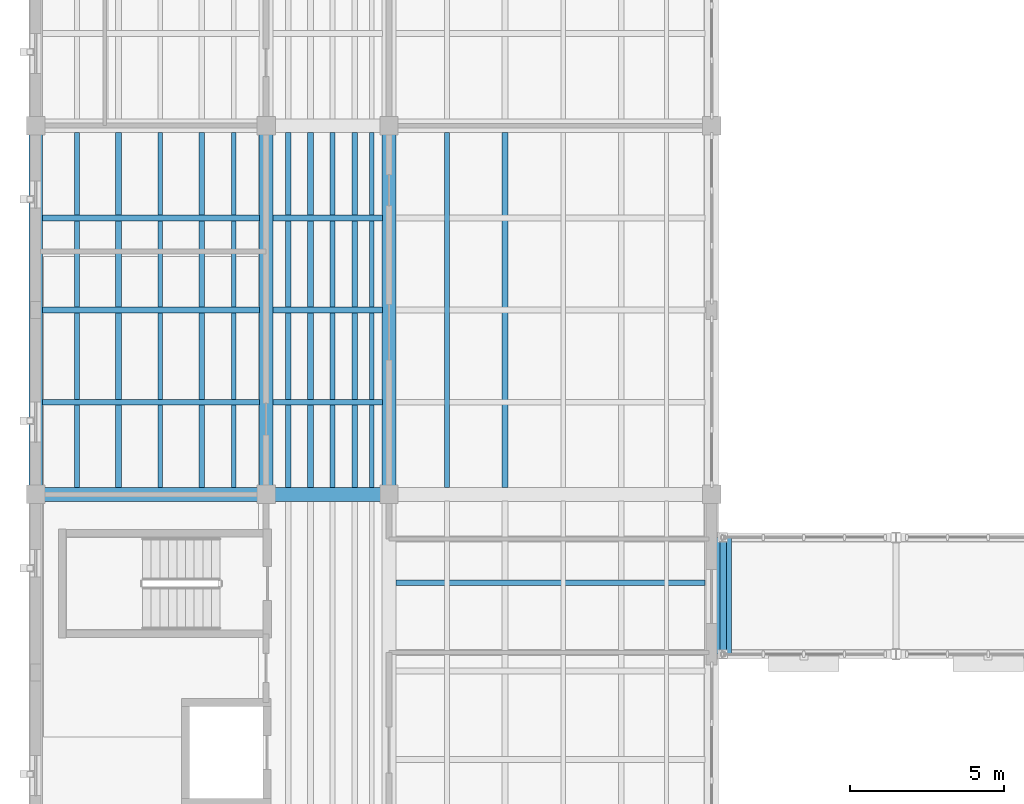
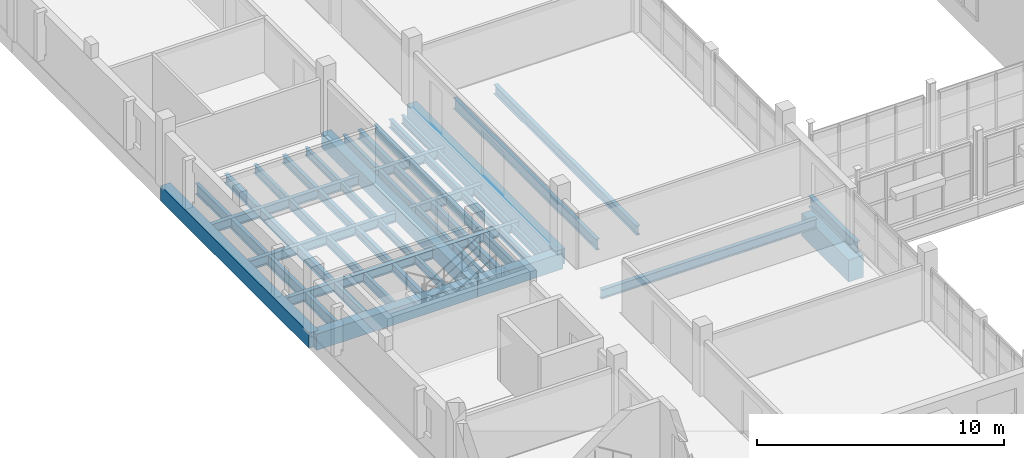
# One storey, part 12 of 77: 26 beams.
"""IFC4 building model written with IfcOpenShell, lengths in metres."""

from ifc_helpers import new_model, si_unit, direction, frame, origin, origin_2d, place, context, subcontext, project, spatial, rectangle, i_section, extrude, material, material_profile, profile_set, type_object, element, save


model = new_model("IFC4")

# Units and contexts
model_context = context("Model", 3, precision=1e-05, world=origin(), true_north=direction((0.0, 1.0)))
body_context = subcontext(model_context, "Body", "Model", "MODEL_VIEW")
ifc_project = project(units=[si_unit("LENGTHUNIT", "METRE"), si_unit("AREAUNIT", "SQUARE_METRE"), si_unit("VOLUMEUNIT", "CUBIC_METRE"), si_unit("PLANEANGLEUNIT", "RADIAN"), si_unit("MASSUNIT", "GRAM", prefix="KILO")], contexts=[model_context])

# Site, building, storey
site_placement = place(None, origin())
site = spatial("IfcSite", under=ifc_project, at=site_placement, CompositionType="ELEMENT")
building_placement = place(site_placement, origin())
building = spatial("IfcBuilding", under=site, at=building_placement, Name="Trellovar Central Fire Station", CompositionType="ELEMENT")
storey_placement = place(building_placement, frame((0.0, 0.0, 5.85009765625)))
storey = spatial("IfcBuildingStorey", under=building, at=storey_placement, Name="L02", CompositionType="ELEMENT", Elevation=5.85009765625)

# Beams
ifc_material_1 = material(Name="Concrete C40/50", Category="concrete")
ifc_material_profile_1 = material_profile(ifc_material_1, rectangle(XDim=0.449951171875, YDim=0.800048828125, at=origin_2d()), Name="RC450X800")
ifc_profile_set_1 = profile_set([ifc_material_profile_1], Name="Concrete C40/50")
beam_type_1 = type_object("IfcBeamType", Name="BM-G1", PredefinedType="BEAM", material=ifc_profile_set_1)
beam_1_placement = place(storey_placement, frame((1.0, 29.0, -0.400146484375), z_axis=(1.0, 0.0, 0.0), x_axis=(0.0, 1.0, 0.0)))
element("IfcBeam", 1, at=beam_1_placement, inside=storey, type_object=beam_type_1, Name="L02 beam G-1", PredefinedType="BEAM", context=body_context, shape_type="SweptSolid", body=[
    extrude(rectangle(XDim=0.449951171875, YDim=0.800048828125, at=origin_2d()), origin(), (0.0, 0.0, 1.0), 7.5),
])
beam_2_placement = place(storey_placement, frame((8.5, 29.0, -0.400146484375), z_axis=(1.0, 0.0, 0.0), x_axis=(0.0, 1.0, 0.0)))
element("IfcBeam", 2, at=beam_2_placement, inside=storey, type_object=beam_type_1, Name="L02 beam G-1", PredefinedType="BEAM", context=body_context, shape_type="SweptSolid", body=[
    extrude(rectangle(XDim=0.449951171875, YDim=0.800048828125, at=origin_2d()), origin(), (0.0, 0.0, 1.0), 4.0),
])
ifc_material_2 = material(Name="Concrete C40/50", Category="concrete")
ifc_material_profile_2 = material_profile(ifc_material_2, rectangle(XDim=0.449951171875, YDim=0.75, at=origin_2d()), Name="RC450X750")
ifc_profile_set_2 = profile_set([ifc_material_profile_2], Name="Concrete C40/50")
beam_type_2 = type_object("IfcBeamType", Name="BM-G2", PredefinedType="BEAM", material=ifc_profile_set_2)
for number, where, z_axis, x_axis, name in (
    (3, (1.0, 29.0, -0.375), (0.0, 1.0, 0.0), (-1.0, 0.0, 0.0), "L02 beam G-2"),
    (4, (8.5, 29.0, -0.375), (0.0, 1.0, 0.0), (-1.0, 0.0, 0.0), "L02 beam G-2"),
    (5, (12.5, 29.0, -0.375), (0.0, 1.0, 0.0), (-1.0, 0.0, 0.0), "L02 beam G-2"),
):
    element("IfcBeam", number, at=place(storey_placement, frame(where, z_axis=z_axis, x_axis=x_axis)), inside=storey, type_object=beam_type_2, Name=name, PredefinedType="BEAM", context=body_context, shape_type="SweptSolid", body=[
        extrude(rectangle(XDim=0.449951171875, YDim=0.75, at=origin_2d()), origin(), (0.0, 0.0, 1.0), 12.0),
    ])
ifc_material_3 = material(Name="Concrete C40/50", Category="concrete")
ifc_material_profile_3 = material_profile(ifc_material_3, rectangle(XDim=0.699951171875, YDim=1.10009765625, at=origin_2d()), Name="RC700X1100")
ifc_profile_set_3 = profile_set([ifc_material_profile_3], Name="Concrete C40/50")
beam_type_3 = type_object("IfcBeamType", Name="BM-RG1", PredefinedType="BEAM", material=ifc_profile_set_3)
beam_3_placement = place(storey_placement, frame((23.300048828125, 23.800048828125, -1.550048828125), z_axis=(0.0, 1.0, 0.0), x_axis=(-1.0, 0.0, 0.0)))
element("IfcBeam", 6, at=beam_3_placement, inside=storey, type_object=beam_type_3, Name="Cloister bridge west 650 mm RC seat beam", PredefinedType="BEAM", context=body_context, shape_type="SweptSolid", body=[
    extrude(rectangle(XDim=0.699951171875, YDim=1.10009765625, at=origin_2d()), origin(), (0.0, 0.0, 1.0), 3.800048828125),
])
ifc_material_4 = material(Name="Steel ASTM A992 Grade 50", Category="steel")
ifc_material_profile_4 = material_profile(ifc_material_4, i_section(OverallWidth=0.15283203125, OverallDepth=0.45458984375, WebThickness=0.008056640625, FlangeThickness=0.01318359375, FilletRadius=0.0126953125, at=origin_2d()), Name="W18X40")
ifc_profile_set_4 = profile_set([ifc_material_profile_4], Name="Steel ASTM A992 Grade 50")
beam_type_4 = type_object("IfcBeamType", Name="BM-SW10", PredefinedType="JOIST", material=ifc_profile_set_4)
for number, where, z_axis, x_axis, name in (
    (7, (5.050048828125, 29.219970703125, -0.487548828125), (0.0, 1.0, 0.0), (-1.0, 0.0, 0.0), "L02 secondary steel deck joist"),
    (8, (10.659912109375, 29.219970703125, -0.487548828125), (0.0, 1.0, 0.0), (-1.0, 0.0, 0.0), "L02 secondary steel deck joist"),
):
    element("IfcBeam", number, at=place(storey_placement, frame(where, z_axis=z_axis, x_axis=x_axis)), inside=storey, type_object=beam_type_4, Name=name, PredefinedType="JOIST", context=body_context, shape_type="SweptSolid", body=[
        extrude(i_section(OverallWidth=0.15283203125, OverallDepth=0.45458984375, WebThickness=0.008056640625, FlangeThickness=0.01318359375, FilletRadius=0.0126953125, at=origin_2d()), origin(), (0.0, 0.0, 1.0), 11.56005859375),
    ])
ifc_material_5 = material(Name="Steel ASTM A992 Grade 50", Category="steel")
ifc_material_profile_5 = material_profile(ifc_material_5, i_section(OverallWidth=0.177490234375, OverallDepth=0.40380859375, WebThickness=0.007568359375, FlangeThickness=0.010986328125, FilletRadius=0.011474609375, at=origin_2d()), Name="W16X36")
ifc_profile_set_5 = profile_set([ifc_material_profile_5], Name="Steel ASTM A992 Grade 50")
beam_type_5 = type_object("IfcBeamType", Name="BM-SW11", PredefinedType="JOIST", material=ifc_profile_set_5)
for number, where, z_axis, x_axis, name in (
    (9, (6.39990234375, 29.219970703125, -0.462158203125), (0.0, 1.0, 0.0), (-1.0, 0.0, 0.0), "L02 secondary steel deck joist"),
    (10, (11.3798828125, 29.219970703125, -0.462158203125), (0.0, 1.0, 0.0), (-1.0, 0.0, 0.0), "L02 secondary steel deck joist"),
):
    element("IfcBeam", number, at=place(storey_placement, frame(where, z_axis=z_axis, x_axis=x_axis)), inside=storey, type_object=beam_type_5, Name=name, PredefinedType="JOIST", context=body_context, shape_type="SweptSolid", body=[
        extrude(i_section(OverallWidth=0.177490234375, OverallDepth=0.40380859375, WebThickness=0.007568359375, FlangeThickness=0.010986328125, FilletRadius=0.011474609375, at=origin_2d()), origin(), (0.0, 0.0, 1.0), 11.56005859375),
    ])
ifc_material_6 = material(Name="Steel ASTM A992 Grade 50", Category="steel")
ifc_material_profile_6 = material_profile(ifc_material_6, i_section(OverallWidth=0.140380859375, OverallDepth=0.4033203125, WebThickness=0.007080078125, FlangeThickness=0.01123046875, FilletRadius=0.011474609375, at=origin_2d()), Name="W16X31")
ifc_profile_set_6 = profile_set([ifc_material_profile_6], Name="Steel ASTM A992 Grade 50")
beam_type_6 = type_object("IfcBeamType", Name="BM-SW12", PredefinedType="JOIST", material=ifc_profile_set_6)
for number, where, z_axis, x_axis, name in (
    (11, (7.449951171875, 29.219970703125, -0.4619140625), (0.0, 1.0, 0.0), (-1.0, 0.0, 0.0), "L02 secondary steel deck joist"),
    (12, (11.93994140625, 29.219970703125, -0.4619140625), (0.0, 1.0, 0.0), (-1.0, 0.0, 0.0), "L02 secondary steel deck joist"),
):
    element("IfcBeam", number, at=place(storey_placement, frame(where, z_axis=z_axis, x_axis=x_axis)), inside=storey, type_object=beam_type_6, Name=name, PredefinedType="JOIST", context=body_context, shape_type="SweptSolid", body=[
        extrude(i_section(OverallWidth=0.140380859375, OverallDepth=0.4033203125, WebThickness=0.007080078125, FlangeThickness=0.01123046875, FilletRadius=0.011474609375, at=origin_2d()), origin(), (0.0, 0.0, 1.0), 11.56005859375),
    ])
ifc_material_7 = material(Name="Steel ASTM A992 Grade 50", Category="steel")
ifc_material_profile_7 = material_profile(ifc_material_7, i_section(OverallWidth=0.209228515625, OverallDepth=0.533447265625, WebThickness=0.01025390625, FlangeThickness=0.015625, FilletRadius=0.013916015625, at=origin_2d()), Name="W21X62")
ifc_profile_set_7 = profile_set([ifc_material_profile_7], Name="Steel ASTM A992 Grade 50")
beam_type_7 = type_object("IfcBeamType", Name="BM-SW7", PredefinedType="BEAM", material=ifc_profile_set_7)
beam_4_placement = place(storey_placement, frame((23.3798828125, 23.800048828125, -0.5068359375), z_axis=(0.0, 1.0, 0.0), x_axis=(-1.0, 0.0, 0.0)))
element("IfcBeam", 13, at=beam_4_placement, inside=storey, type_object=beam_type_7, Name="Cloister bridge west diaphragm beam", PredefinedType="BEAM", context=body_context, shape_type="SweptSolid", body=[
    extrude(i_section(OverallWidth=0.209228515625, OverallDepth=0.533447265625, WebThickness=0.01025390625, FlangeThickness=0.015625, FilletRadius=0.013916015625, at=origin_2d()), origin(), (0.0, 0.0, 1.0), 3.800048828125),
])
ifc_material_8 = material(Name="Steel ASTM A992 Grade 50", Category="steel")
ifc_material_profile_8 = material_profile(ifc_material_8, i_section(OverallWidth=0.166015625, OverallDepth=0.529052734375, WebThickness=0.009765625, FlangeThickness=0.013671875, FilletRadius=0.013916015625, at=origin_2d()), Name="W21X50")
ifc_profile_set_8 = profile_set([ifc_material_profile_8], Name="Steel ASTM A992 Grade 50")
beam_type_8 = type_object("IfcBeamType", Name="BM-SW8", PredefinedType="JOIST", material=ifc_profile_set_8)
for number, where, z_axis, x_axis, name in (
    (14, (2.35009765625, 29.219970703125, -0.524658203125), (0.0, 1.0, 0.0), (-1.0, 0.0, 0.0), "L02 secondary steel deck joist"),
    (15, (9.219970703125, 29.219970703125, -0.524658203125), (0.0, 1.0, 0.0), (-1.0, 0.0, 0.0), "L02 secondary steel deck joist"),
    (16, (14.389892578125, 29.219970703125, -0.524658203125), (0.0, 1.0, 0.0), (-1.0, 0.0, 0.0), "L02 secondary steel deck joist"),
):
    element("IfcBeam", number, at=place(storey_placement, frame(where, z_axis=z_axis, x_axis=x_axis)), inside=storey, type_object=beam_type_8, Name=name, PredefinedType="JOIST", context=body_context, shape_type="SweptSolid", body=[
        extrude(i_section(OverallWidth=0.166015625, OverallDepth=0.529052734375, WebThickness=0.009765625, FlangeThickness=0.013671875, FilletRadius=0.013916015625, at=origin_2d()), origin(), (0.0, 0.0, 1.0), 11.56005859375),
    ])
ifc_material_9 = material(Name="Steel ASTM A992 Grade 50", Category="steel")
ifc_material_profile_9 = material_profile(ifc_material_9, i_section(OverallWidth=0.1904296875, OverallDepth=0.457275390625, WebThickness=0.009033203125, FlangeThickness=0.014404296875, FilletRadius=0.0126953125, at=origin_2d()), Name="W18X50")
ifc_profile_set_9 = profile_set([ifc_material_profile_9], Name="Steel ASTM A992 Grade 50")
beam_type_9 = type_object("IfcBeamType", Name="BM-SW9", PredefinedType="JOIST", material=ifc_profile_set_9)
for number, where, z_axis, x_axis, name in (
    (17, (1.219970703125, 32.0, -0.48876953125), (1.0, 0.0, 0.0), (0.0, 1.0, 0.0), "L02 beam SB-9"),
    (18, (1.219970703125, 35.0, -0.48876953125), (1.0, 0.0, 0.0), (0.0, 1.0, 0.0), "L02 beam SB-9"),
    (19, (1.219970703125, 38.0, -0.48876953125), (1.0, 0.0, 0.0), (0.0, 1.0, 0.0), "L02 beam SB-9"),
):
    element("IfcBeam", number, at=place(storey_placement, frame(where, z_axis=z_axis, x_axis=x_axis)), inside=storey, type_object=beam_type_9, Name=name, PredefinedType="JOIST", context=body_context, shape_type="SweptSolid", body=[
        extrude(i_section(OverallWidth=0.1904296875, OverallDepth=0.457275390625, WebThickness=0.009033203125, FlangeThickness=0.014404296875, FilletRadius=0.0126953125, at=origin_2d()), origin(), (0.0, 0.0, 1.0), 7.06005859375),
    ])
for number, where, z_axis, x_axis, name in (
    (20, (8.719970703125, 32.0, -0.48876953125), (1.0, 0.0, 0.0), (0.0, 1.0, 0.0), "L02 beam SB-9"),
    (21, (8.719970703125, 35.0, -0.48876953125), (1.0, 0.0, 0.0), (0.0, 1.0, 0.0), "L02 beam SB-9"),
    (22, (8.719970703125, 38.0, -0.48876953125), (1.0, 0.0, 0.0), (0.0, 1.0, 0.0), "L02 beam SB-9"),
):
    element("IfcBeam", number, at=place(storey_placement, frame(where, z_axis=z_axis, x_axis=x_axis)), inside=storey, type_object=beam_type_9, Name=name, PredefinedType="JOIST", context=body_context, shape_type="SweptSolid", body=[
        extrude(i_section(OverallWidth=0.1904296875, OverallDepth=0.457275390625, WebThickness=0.009033203125, FlangeThickness=0.014404296875, FilletRadius=0.0126953125, at=origin_2d()), origin(), (0.0, 0.0, 1.0), 3.56005859375),
    ])
beam_5_placement = place(storey_placement, frame((12.719970703125, 26.125, -0.48876953125), z_axis=(1.0, 0.0, 0.0), x_axis=(0.0, 1.0, 0.0)))
element("IfcBeam", 23, at=beam_5_placement, inside=storey, type_object=beam_type_9, Name="L02 beam SB-9", PredefinedType="JOIST", context=body_context, shape_type="SweptSolid", body=[
    extrude(i_section(OverallWidth=0.1904296875, OverallDepth=0.457275390625, WebThickness=0.009033203125, FlangeThickness=0.014404296875, FilletRadius=0.0126953125, at=origin_2d()), origin(), (0.0, 0.0, 1.0), 10.06005859375),
])
for number, where, z_axis, x_axis, name in (
    (24, (3.699951171875, 29.219970703125, -0.48876953125), (0.0, 1.0, 0.0), (-1.0, 0.0, 0.0), "L02 secondary steel deck joist"),
    (25, (9.93994140625, 29.219970703125, -0.48876953125), (0.0, 1.0, 0.0), (-1.0, 0.0, 0.0), "L02 secondary steel deck joist"),
    (26, (16.280029296875, 29.219970703125, -0.48876953125), (0.0, 1.0, 0.0), (-1.0, 0.0, 0.0), "L02 secondary steel deck joist"),
):
    element("IfcBeam", number, at=place(storey_placement, frame(where, z_axis=z_axis, x_axis=x_axis)), inside=storey, type_object=beam_type_9, Name=name, PredefinedType="JOIST", context=body_context, shape_type="SweptSolid", body=[
        extrude(i_section(OverallWidth=0.1904296875, OverallDepth=0.457275390625, WebThickness=0.009033203125, FlangeThickness=0.014404296875, FilletRadius=0.0126953125, at=origin_2d()), origin(), (0.0, 0.0, 1.0), 11.56005859375),
    ])

save(model, "model.ifc")
